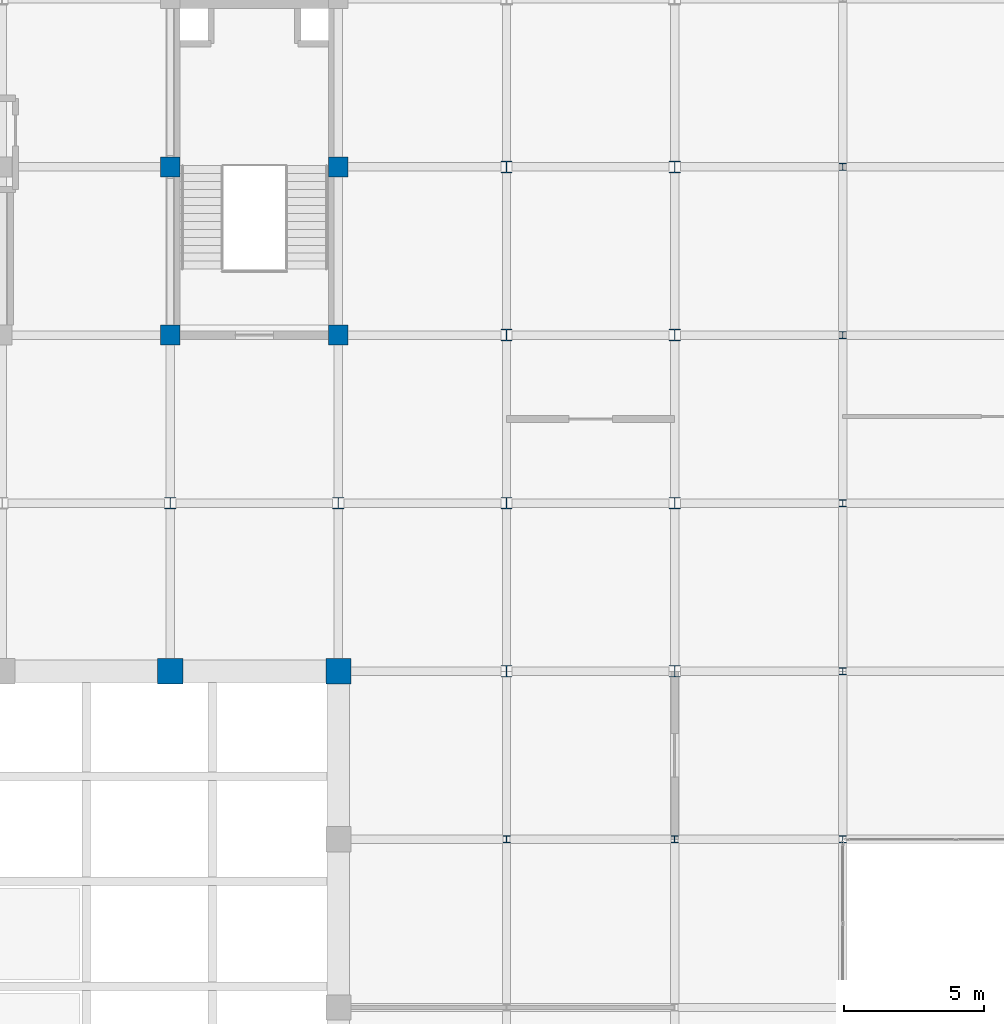
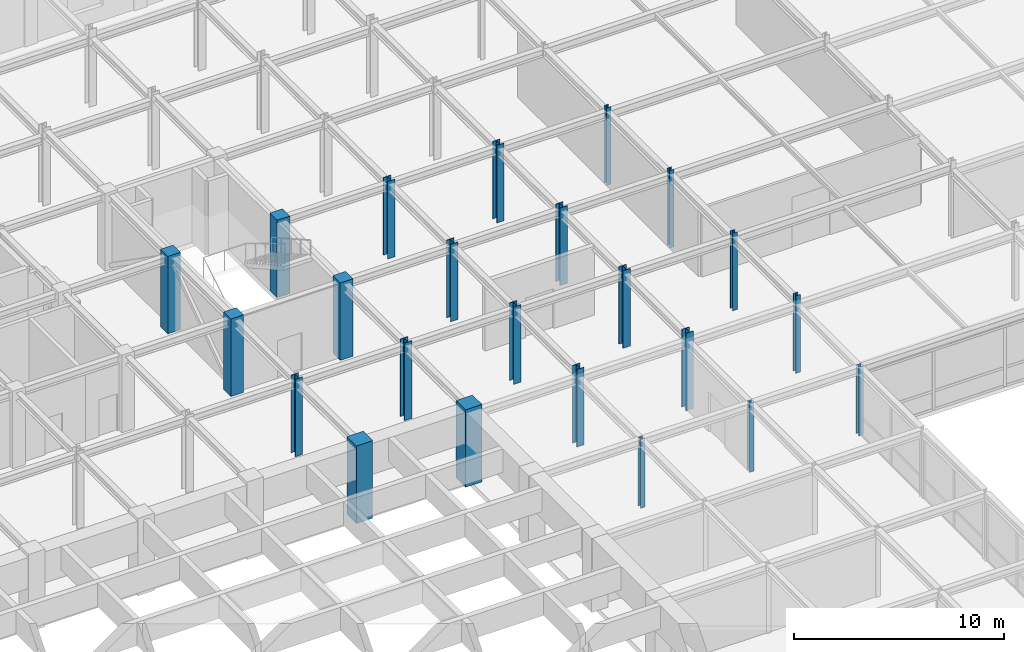
# One storey, part 18 of 111: 23 columns.
"""IFC4 building model written with IfcOpenShell, lengths in metres."""

from ifc_helpers import new_model, si_unit, direction, frame, origin, origin_2d, place, context, subcontext, project, spatial, rectangle, i_section, extrude, material, material_profile, profile_set, type_object, element, save


model = new_model("IFC4")

# Units and contexts
model_context = context("Model", 3, precision=1e-05, world=origin(), true_north=direction((0.0, 1.0)))
body_context = subcontext(model_context, "Body", "Model", "MODEL_VIEW")
ifc_project = project(units=[si_unit("LENGTHUNIT", "METRE"), si_unit("AREAUNIT", "SQUARE_METRE"), si_unit("VOLUMEUNIT", "CUBIC_METRE"), si_unit("PLANEANGLEUNIT", "RADIAN"), si_unit("MASSUNIT", "GRAM", prefix="KILO")], contexts=[model_context])

# Site, building, storey
site_placement = place(None, origin())
site = spatial("IfcSite", under=ifc_project, at=site_placement, CompositionType="ELEMENT")
building_placement = place(site_placement, origin())
building = spatial("IfcBuilding", under=site, at=building_placement, Name="Zlatovratsky Civic Hall", CompositionType="ELEMENT")
storey_placement = place(building_placement, frame((0.0, 0.0, 16.5)))
storey = spatial("IfcBuildingStorey", under=building, at=storey_placement, Name="L04", CompositionType="ELEMENT", Elevation=16.5)

# Columns
ifc_material_1 = material(Name="Concrete C35/45 (B40)", Category="concrete")
ifc_material_profile_1 = material_profile(ifc_material_1, rectangle(XDim=0.89990234375, YDim=0.89990234375, at=origin_2d()), Name="RC 900x900")
ifc_profile_set_1 = profile_set([ifc_material_profile_1], Name="Concrete C35/45 (B40)")
column_type_1 = type_object("IfcColumnType", Name="Col_ChamberPier_RC900", PredefinedType="COLUMN", material=ifc_profile_set_1)
for number, where, z_axis, x_axis, name in (
    (1, (96.0, 72.0, 0.0), (0.0, 0.0, 1.0), (1.0, 0.0, 0.0), "CL-1742"),
    (2, (102.0, 72.0, 0.0), (0.0, 0.0, 1.0), (1.0, 0.0, 0.0), "CL-1743"),
):
    element("IfcColumn", number, at=place(storey_placement, frame(where, z_axis=z_axis, x_axis=x_axis)), inside=storey, type_object=column_type_1, Name=name, PredefinedType="COLUMN", context=body_context, shape_type="SweptSolid", body=[
        extrude(rectangle(XDim=0.89990234375, YDim=0.89990234375, at=origin_2d()), origin(), (0.0, 0.0, 1.0), 4.5),
    ])
ifc_material_profile_2 = material_profile(ifc_material_1, rectangle(XDim=0.699951171875, YDim=0.699951171875, at=origin_2d()), Name="RC 700x700")
ifc_profile_set_2 = profile_set([ifc_material_profile_2], Name="Concrete C35/45 (B40)")
column_type_2 = type_object("IfcColumnType", Name="Col_CorePier_RC700", PredefinedType="COLUMN", material=ifc_profile_set_2)
for number, where, z_axis, x_axis, name in (
    (3, (96.0, 84.0, 0.0), (0.0, 0.0, 1.0), (1.0, 0.0, 0.0), "CL-1788"),
    (4, (102.0, 84.0, 0.0), (0.0, 0.0, 1.0), (1.0, 0.0, 0.0), "CL-1789"),
    (5, (96.0, 90.0, 0.0), (0.0, 0.0, 1.0), (1.0, 0.0, 0.0), "CL-1811"),
    (6, (102.0, 90.0, 0.0), (0.0, 0.0, 1.0), (1.0, 0.0, 0.0), "CL-1812"),
):
    element("IfcColumn", number, at=place(storey_placement, frame(where, z_axis=z_axis, x_axis=x_axis)), inside=storey, type_object=column_type_2, Name=name, PredefinedType="COLUMN", context=body_context, shape_type="SweptSolid", body=[
        extrude(rectangle(XDim=0.699951171875, YDim=0.699951171875, at=origin_2d()), origin(), (0.0, 0.0, 1.0), 4.5),
    ])
ifc_material_2 = material(Name="Steel S355", Category="steel")
ifc_material_profile_3 = material_profile(ifc_material_2, i_section(OverallWidth=0.25, OverallDepth=0.25, WebThickness=0.009033203125, FlangeThickness=0.013916015625, FilletRadius=0.01611328125, at=origin_2d()), Name="25K2")
ifc_profile_set_3 = profile_set([ifc_material_profile_3], Name="Steel S355")
column_type_3 = type_object("IfcColumnType", Name="Col_Steel_25K2", PredefinedType="COLUMN", material=ifc_profile_set_3)
for number, where, z_axis, x_axis, name in (
    (7, (108.0, 66.0, 0.0), (0.0, 0.0, 1.0), (1.0, 0.0, 0.0), "CL-1721"),
    (8, (114.0, 66.0, 0.0), (0.0, 0.0, 1.0), (1.0, 0.0, 0.0), "CL-1722"),
    (9, (120.0, 66.0, 0.0), (0.0, 0.0, 1.0), (1.0, 0.0, 0.0), "CL-1723"),
):
    element("IfcColumn", number, at=place(storey_placement, frame(where, z_axis=z_axis, x_axis=x_axis)), inside=storey, type_object=column_type_3, Name=name, PredefinedType="COLUMN", context=body_context, shape_type="SweptSolid", body=[
        extrude(i_section(OverallWidth=0.25, OverallDepth=0.25, WebThickness=0.009033203125, FlangeThickness=0.013916015625, FilletRadius=0.01611328125, at=origin_2d()), origin(), (0.0, 0.0, 1.0), 4.0),
    ])
for number, where, z_axis, x_axis, name in (
    (10, (120.0, 72.0, 0.0), (0.0, 0.0, 1.0), (1.0, 0.0, 0.0), "CL-1746"),
    (11, (120.0, 78.0, 0.0), (0.0, 0.0, 1.0), (1.0, 0.0, 0.0), "CL-1769"),
    (12, (120.0, 84.0, 0.0), (0.0, 0.0, 1.0), (1.0, 0.0, 0.0), "CL-1792"),
    (13, (120.0, 90.0, 0.0), (0.0, 0.0, 1.0), (1.0, 0.0, 0.0), "CL-1815"),
):
    element("IfcColumn", number, at=place(storey_placement, frame(where, z_axis=z_axis, x_axis=x_axis)), inside=storey, type_object=column_type_3, Name=name, PredefinedType="COLUMN", context=body_context, shape_type="SweptSolid", body=[
        extrude(i_section(OverallWidth=0.25, OverallDepth=0.25, WebThickness=0.009033203125, FlangeThickness=0.013916015625, FilletRadius=0.01611328125, at=origin_2d()), origin(), (0.0, 0.0, 1.0), 4.5),
    ])
ifc_material_profile_4 = material_profile(ifc_material_2, i_section(OverallWidth=0.405029296875, OverallDepth=0.41796875, WebThickness=0.02001953125, FlangeThickness=0.030029296875, FilletRadius=0.02197265625, at=origin_2d()), Name="40K4")
ifc_profile_set_4 = profile_set([ifc_material_profile_4], Name="Steel S355")
column_type_4 = type_object("IfcColumnType", Name="Col_Steel_40K4", PredefinedType="COLUMN", material=ifc_profile_set_4)
for number, where, z_axis, x_axis, name in (
    (14, (108.0, 72.0, 0.0), (0.0, 0.0, 1.0), (1.0, 0.0, 0.0), "CL-1744"),
    (15, (114.0, 72.0, 0.0), (0.0, 0.0, 1.0), (1.0, 0.0, 0.0), "CL-1745"),
    (16, (96.0, 78.0, 0.0), (0.0, 0.0, 1.0), (1.0, 0.0, 0.0), "CL-1765"),
    (17, (102.0, 78.0, 0.0), (0.0, 0.0, 1.0), (1.0, 0.0, 0.0), "CL-1766"),
    (18, (108.0, 78.0, 0.0), (0.0, 0.0, 1.0), (1.0, 0.0, 0.0), "CL-1767"),
    (19, (114.0, 78.0, 0.0), (0.0, 0.0, 1.0), (1.0, 0.0, 0.0), "CL-1768"),
    (20, (108.0, 84.0, 0.0), (0.0, 0.0, 1.0), (1.0, 0.0, 0.0), "CL-1790"),
    (21, (114.0, 84.0, 0.0), (0.0, 0.0, 1.0), (1.0, 0.0, 0.0), "CL-1791"),
    (22, (108.0, 90.0, 0.0), (0.0, 0.0, 1.0), (1.0, 0.0, 0.0), "CL-1813"),
    (23, (114.0, 90.0, 0.0), (0.0, 0.0, 1.0), (1.0, 0.0, 0.0), "CL-1814"),
):
    element("IfcColumn", number, at=place(storey_placement, frame(where, z_axis=z_axis, x_axis=x_axis)), inside=storey, type_object=column_type_4, Name=name, PredefinedType="COLUMN", context=body_context, shape_type="SweptSolid", body=[
        extrude(i_section(OverallWidth=0.405029296875, OverallDepth=0.41796875, WebThickness=0.02001953125, FlangeThickness=0.030029296875, FilletRadius=0.02197265625, at=origin_2d()), origin(), (0.0, 0.0, 1.0), 4.5),
    ])

save(model, "model.ifc")
